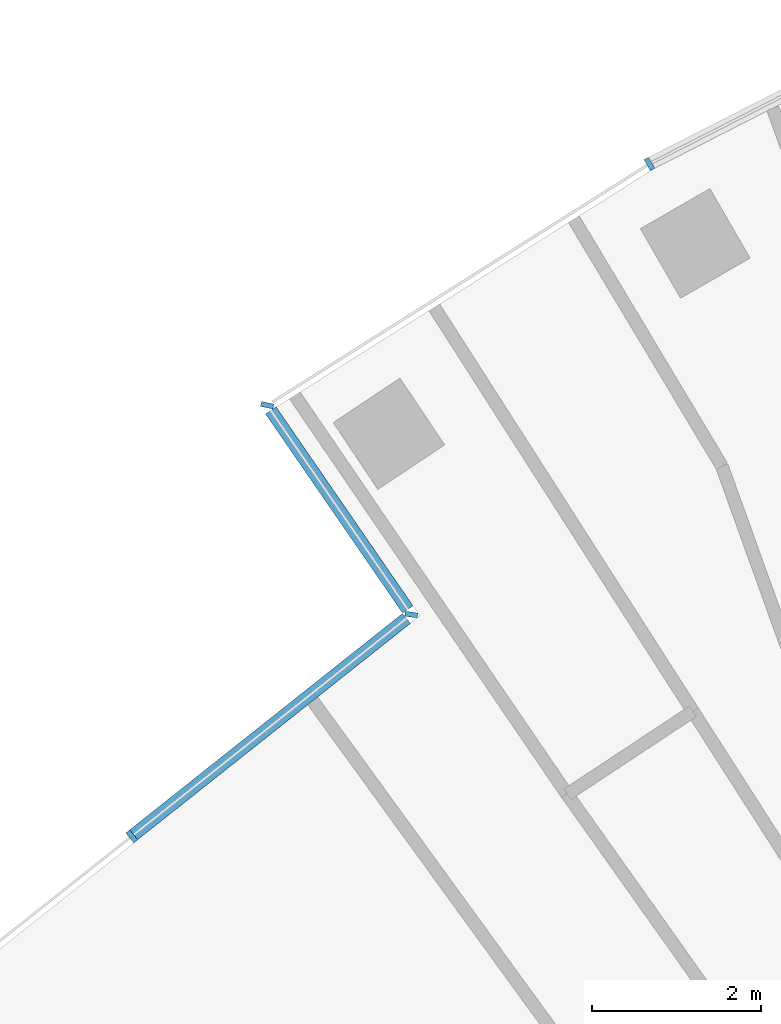
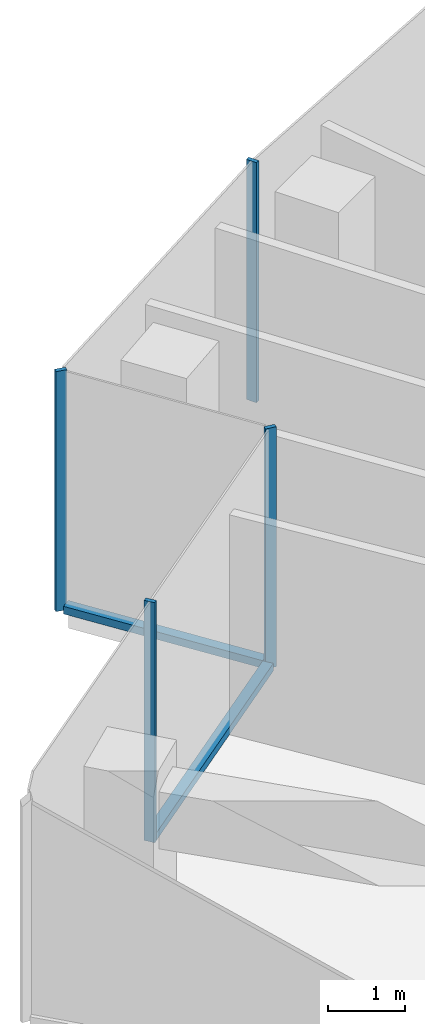
# One storey, part 3 of 17: 6 members, 3 elements without a shape of their own.
"""IFC4 building model written with IfcOpenShell, lengths in metres."""

from ifc_helpers import new_model, si_unit, direction, frame, origin, origin_2d, place, context, subcontext, project, spatial, rectangle, extrude, material, layer, layer_set, material_profile, profile_set, type_object, element, aggregate, save


model = new_model("IFC4")

# Units and contexts
model_context = context("Model", 3, precision=1e-05, world=origin(), true_north=direction((0.0, 1.0)))
body_context = subcontext(model_context, "Body", "Model", "MODEL_VIEW")
ifc_project = project(units=[si_unit("LENGTHUNIT", "METRE"), si_unit("AREAUNIT", "SQUARE_METRE"), si_unit("VOLUMEUNIT", "CUBIC_METRE"), si_unit("PLANEANGLEUNIT", "RADIAN"), si_unit("MASSUNIT", "GRAM", prefix="KILO")], contexts=[model_context])

# Site, building, storey
site_placement = place(None, origin())
site = spatial("IfcSite", under=ifc_project, at=site_placement, CompositionType="ELEMENT")
building_placement = place(site_placement, origin())
building = spatial("IfcBuilding", under=site, at=building_placement, Name="Stone Belt Terrace Tower", CompositionType="ELEMENT")
storey_placement = place(building_placement, frame((0.0, 0.0, 231.39990234375)))
storey = spatial("IfcBuildingStorey", under=building, at=storey_placement, Name="L56", CompositionType="ELEMENT", Elevation=231.39990234375)

# Curtain wall, member
ifc_material = material(Name="Aluminium 6063-T6 anodised frame", Category="aluminium")
ifc_layer_1 = layer(ifc_material, 0.14990234375)
ifc_layer_set_1 = layer_set([ifc_layer_1], Name="CW-A unitised convex-face curtain wall")
curtain_wall_type_1 = type_object("IfcCurtainWallType", Name="CW-A unitised convex-face curtain wall", PredefinedType="NOTDEFINED", material=ifc_layer_set_1)
curtain_wall_1_placement = place(storey_placement, origin())
curtain_wall_1 = element("IfcCurtainWall", 1, at=curtain_wall_1_placement, inside=storey, type_object=curtain_wall_type_1, Name="CW-A convex face L56", PredefinedType="NOTDEFINED")
ifc_material_profile_1 = material_profile(ifc_material, rectangle(XDim=0.14990234375, YDim=0.06005859375, at=origin_2d()), Name="Aluminium 6063-T6 60x150")
ifc_profile_set_1 = profile_set([ifc_material_profile_1], Name="Aluminium 6063-T6 anodised frame")
member_type_1 = type_object("IfcMemberType", Name="CW-A mullion 60 x 150", PredefinedType="MULLION", material=ifc_profile_set_1)
member_1_placement = place(storey_placement, frame((-33.287109375, 57.656005859375, 0.0), z_axis=(0.0, 0.0, 1.0), x_axis=(0.4944743851, -0.869192201116, 0.0)))
member_1 = element("IfcMember", 2, at=member_1_placement, type_object=member_type_1, Name="CW-A mullion 14", PredefinedType="MULLION", context=body_context, shape_type="SweptSolid", body=[
    extrude(rectangle(XDim=0.14990234375, YDim=0.06005859375, at=origin_2d()), origin(), (0.0, 0.0, 1.0), 3.800048828125),
])
aggregate(curtain_wall_1, [member_1])

ifc_layer_2 = layer(ifc_material, 0.14990234375)
ifc_layer_set_2 = layer_set([ifc_layer_2], Name="CW-C stick curtain wall, horn ends and notches")
curtain_wall_type_2 = type_object("IfcCurtainWallType", Name="CW-C stick curtain wall, horn ends and notches", PredefinedType="NOTDEFINED", material=ifc_layer_set_2)
curtain_wall_2_placement = place(storey_placement, origin())
curtain_wall_2 = element("IfcCurtainWall", 3, at=curtain_wall_2_placement, inside=storey, type_object=curtain_wall_type_2, Name="CW-C notch face L56", PredefinedType="NOTDEFINED")
ifc_material_profile_2 = material_profile(ifc_material, rectangle(XDim=0.14990234375, YDim=0.06005859375, at=origin_2d()), Name="Aluminium 6063-T6 60x150")
ifc_profile_set_2 = profile_set([ifc_material_profile_2], Name="Aluminium 6063-T6 anodised frame")
member_type_2 = type_object("IfcMemberType", Name="CW-C mullion 60 x 150", PredefinedType="MULLION", material=ifc_profile_set_2)
member_2_placement = place(storey_placement, frame((-37.810546875, 54.799560546875, 0.0), z_axis=(0.0, 0.0, 1.0), x_axis=(0.97959381054, -0.200987478095, 0.0)))
member_2 = element("IfcMember", 4, at=member_2_placement, type_object=member_type_2, Name="CW-C mullion 1", PredefinedType="MULLION", context=body_context, shape_type="SweptSolid", body=[
    extrude(rectangle(XDim=0.14990234375, YDim=0.06005859375, at=origin_2d()), origin(), (0.0, 0.0, 1.0), 3.800048828125),
])

# Curtain wall, members
curtain_wall_3_placement = place(storey_placement, origin())
curtain_wall_3 = element("IfcCurtainWall", 5, at=curtain_wall_3_placement, inside=storey, type_object=curtain_wall_type_2, Name="CW-C notch face L56", PredefinedType="NOTDEFINED")
member_3_placement = place(storey_placement, frame((-36.105224609375, 52.32177734375, 0.0), z_axis=(0.0, 0.0, 1.0), x_axis=(0.988961533192, -0.148172486877, 0.0)))
member_3 = element("IfcMember", 6, at=member_3_placement, type_object=member_type_2, Name="CW-C mullion 1", PredefinedType="MULLION", context=body_context, shape_type="SweptSolid", body=[
    extrude(rectangle(XDim=0.14990234375, YDim=0.06005859375, at=origin_2d()), origin(), (0.0, 0.0, 1.0), 3.800048828125),
])
member_4_placement = place(storey_placement, frame((-39.414306640625, 49.697265625, 0.0), z_axis=(0.0, 0.0, 1.0), x_axis=(0.621387727874, -0.783503217382, 0.0)))
member_4 = element("IfcMember", 7, at=member_4_placement, type_object=member_type_2, Name="CW-C mullion 2", PredefinedType="MULLION", context=body_context, shape_type="SweptSolid", body=[
    extrude(rectangle(XDim=0.14990234375, YDim=0.06005859375, at=origin_2d()), origin(), (0.0, 0.0, 1.0), 3.800048828125),
])

# Member
ifc_material_profile_3 = material_profile(ifc_material, rectangle(XDim=0.14990234375, YDim=0.1201171875, at=origin_2d()), Name="Aluminium 6063-T6 150x120")
ifc_profile_set_3 = profile_set([ifc_material_profile_3], Name="Aluminium 6063-T6 anodised frame")
member_type_3 = type_object("IfcMemberType", Name="CW-C transom 120 x 150", PredefinedType="USERDEFINED", material=ifc_profile_set_3)
member_5_placement = place(storey_placement, frame((-37.768310546875, 54.738037109375, 0.06005859375), z_axis=(0.566970718961, -0.823737946097, 0.0), x_axis=(0.823737946097, 0.566970718961, 0.0)))
member_5 = element("IfcMember", 8, at=member_5_placement, type_object=member_type_3, Name="CW-C transom 1.1", ObjectType="TRANSOM", PredefinedType="USERDEFINED", context=body_context, shape_type="SweptSolid", body=[
    extrude(rectangle(XDim=0.14990234375, YDim=0.1201171875, at=origin_2d()), origin(), (0.0, 0.0, 1.0), 2.860107421875),
])

aggregate(curtain_wall_2, [member_2, member_5])

member_6_placement = place(storey_placement, frame((-36.16259765625, 52.2763671875, 0.06005859375), z_axis=(-0.783503647613, -0.621387185398, 0.0), x_axis=(0.621387185398, -0.783503647613, 0.0)))
member_6 = element("IfcMember", 9, at=member_6_placement, type_object=member_type_3, Name="CW-C transom 1.1", ObjectType="TRANSOM", PredefinedType="USERDEFINED", context=body_context, shape_type="SweptSolid", body=[
    extrude(rectangle(XDim=0.14990234375, YDim=0.1201171875, at=origin_2d()), origin(), (0.0, 0.0, 1.0), 4.120361328125),
])

aggregate(curtain_wall_3, [member_3, member_4, member_6])

save(model, "model.ifc")
